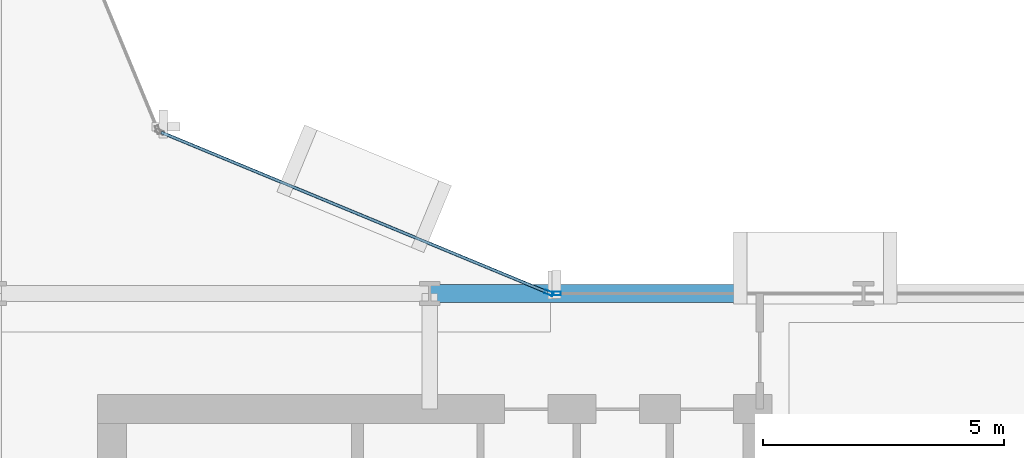
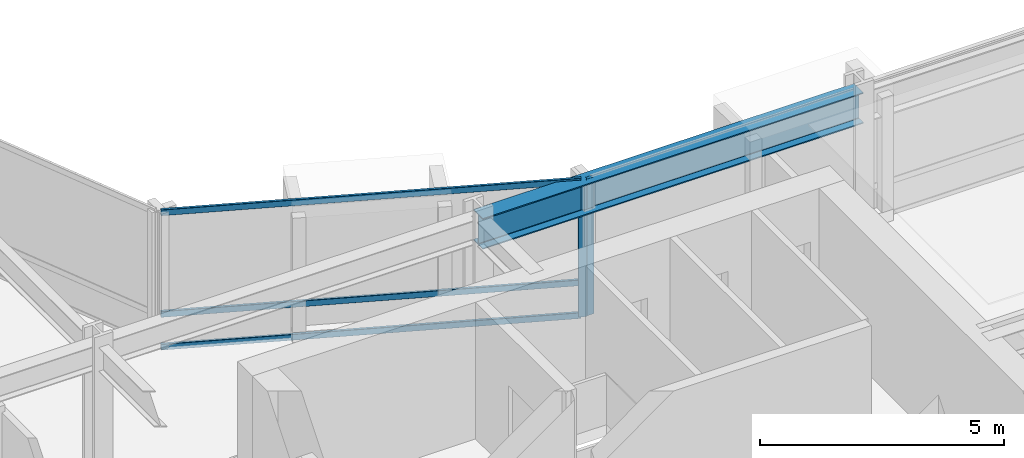
# One storey, part 15 of 34: 5 members, 1 beam, 2 elements without a shape of their own.
"""IFC4 building model written with IfcOpenShell, lengths in metres."""

from ifc_helpers import new_model, si_unit, direction, frame, origin, origin_2d, place, context, subcontext, project, spatial, hollow_rectangle, i_section, extrude, material, layer, layer_set, material_profile, profile_set, type_object, element, aggregate, save


model = new_model("IFC4")

# Units and contexts
model_context = context("Model", 3, precision=1e-05, world=origin(), true_north=direction((0.0, 1.0)))
body_context = subcontext(model_context, "Body", "Model", "MODEL_VIEW")
ifc_project = project(units=[si_unit("LENGTHUNIT", "METRE"), si_unit("AREAUNIT", "SQUARE_METRE"), si_unit("VOLUMEUNIT", "CUBIC_METRE"), si_unit("PLANEANGLEUNIT", "RADIAN"), si_unit("MASSUNIT", "GRAM", prefix="KILO")], contexts=[model_context])

# Site, building, storey
site_placement = place(None, origin())
site = spatial("IfcSite", under=ifc_project, at=site_placement, CompositionType="ELEMENT")
building_placement = place(site_placement, origin())
building = spatial("IfcBuilding", under=site, at=building_placement, Name="Solvaryn Broadcast Tower", CompositionType="ELEMENT")
storey_placement = place(building_placement, frame((0.0, 0.0, 65.60009765625)))
storey = spatial("IfcBuildingStorey", under=building, at=storey_placement, Name="L15", CompositionType="ELEMENT", Elevation=65.60009765625)

# Beam
ifc_material_1 = material(Name="Steel ASTM A992 Grade 50", Category="steel")
ifc_material_profile_1 = material_profile(ifc_material_1, i_section(OverallWidth=0.381103515625, OverallDepth=0.77294921875, WebThickness=0.0166015625, FlangeThickness=0.027099609375, FilletRadius=0.01806640625, at=origin_2d()))
ifc_profile_set_1 = profile_set([ifc_material_profile_1], Name="Steel ASTM A992 Grade 50")
beam_type = type_object("IfcBeamType", Name="BM-SP1-W30X173", PredefinedType="USERDEFINED", material=ifc_profile_set_1)
beam_placement = place(storey_placement, frame((36.0, 27.0, 3.033447265625), z_axis=(1.0, 0.0, 0.0), x_axis=(0.0, 1.0, 0.0)))
element("IfcBeam", 1, at=beam_placement, inside=storey, type_object=beam_type, Name="L15 Spandrel Beam X (36-45 @ Y=27)", ObjectType="SPANDREL", PredefinedType="USERDEFINED", context=body_context, shape_type="SweptSolid", body=[
    extrude(i_section(OverallWidth=0.381103515625, OverallDepth=0.77294921875, WebThickness=0.0166015625, FlangeThickness=0.027099609375, FilletRadius=0.01806640625, at=origin_2d()), origin(), (0.0, 0.0, 1.0), 9.0),
])

# Curtain wall, member
ifc_material_2 = material(Name="Aluminium and Terracotta Unitised Curtain Wall", Category="masonry")
ifc_layer = layer(ifc_material_2, 0.199951171875)
ifc_layer_set = layer_set([ifc_layer], Name="CW-SYS2-LOWMID")
curtain_wall_type = type_object("IfcCurtainWallType", Name="CW-SYS2-LOWMID", PredefinedType="NOTDEFINED", material=ifc_layer_set)
curtain_wall_1_placement = place(storey_placement, origin())
curtain_wall_1 = element("IfcCurtainWall", 2, at=curtain_wall_1_placement, inside=storey, type_object=curtain_wall_type, Name="L15 Curtain Wall CN1", PredefinedType="NOTDEFINED")
ifc_material_3 = material(Name="Anodised Aluminium 6063-T6", Category="aluminium")
ifc_material_profile_2 = material_profile(ifc_material_3, hollow_rectangle(XDim=0.074951171875, YDim=0.179931640625, WallThickness=0.00390625, InnerFilletRadius=0.00390625, OuterFilletRadius=0.008056640625, at=origin_2d()))
ifc_profile_set_2 = profile_set([ifc_material_profile_2], Name="Anodised Aluminium 6063-T6")
member_type_1 = type_object("IfcMemberType", Name="CW-MUL-180", PredefinedType="MULLION", material=ifc_profile_set_2)
member_1_placement = place(storey_placement, frame((38.47216796875, 27.011474609375, 0.0), z_axis=(0.0, 0.0, 1.0), x_axis=(-0.382646127145, -0.923894983957, 0.0)))
member_1 = element("IfcMember", 3, at=member_1_placement, type_object=member_type_1, Name="CWS2 mullion 1", PredefinedType="MULLION", context=body_context, shape_type="SweptSolid", body=[
    extrude(hollow_rectangle(XDim=0.074951171875, YDim=0.179931640625, WallThickness=0.00390625, InnerFilletRadius=0.00390625, OuterFilletRadius=0.008056640625, at=origin_2d()), origin(), (0.0, 0.0, 1.0), 3.419921875),
])

curtain_wall_2_placement = place(storey_placement, origin())
curtain_wall_2 = element("IfcCurtainWall", 4, at=curtain_wall_2_placement, inside=storey, type_object=curtain_wall_type, Name="L15 Curtain Wall IH", PredefinedType="NOTDEFINED")
member_2_placement = place(storey_placement, frame((38.6298828125, 27.0, 0.0), z_axis=(0.0, 0.0, 1.0), x_axis=(0.0, 1.0, 0.0)))
member_2 = element("IfcMember", 5, at=member_2_placement, type_object=member_type_1, Name="CWS2 mullion 1", PredefinedType="MULLION", context=body_context, shape_type="SweptSolid", body=[
    extrude(hollow_rectangle(XDim=0.074951171875, YDim=0.179931640625, WallThickness=0.00390625, InnerFilletRadius=0.00390625, OuterFilletRadius=0.008056640625, at=origin_2d()), origin(), (0.0, 0.0, 1.0), 3.419921875),
])
aggregate(curtain_wall_2, [member_2])

# Member
ifc_material_4 = material(Name="Anodised Aluminium 6063-T6", Category="aluminium")
ifc_material_profile_3 = material_profile(ifc_material_4, hollow_rectangle(XDim=0.06494140625, YDim=0.14990234375, WallThickness=0.00390625, InnerFilletRadius=0.00390625, OuterFilletRadius=0.008056640625, at=origin_2d()))
ifc_profile_set_3 = profile_set([ifc_material_profile_3], Name="Anodised Aluminium 6063-T6")
member_type_2 = type_object("IfcMemberType", Name="CW-TRN-150", PredefinedType="USERDEFINED", material=ifc_profile_set_3)
member_3_placement = place(storey_placement, frame((38.444580078125, 27.02294921875, 0.02978515625), z_axis=(-0.923899282177, 0.382635748975, 0.0), x_axis=(-0.382635748975, -0.923899282177, 0.0)))
member_3 = element("IfcMember", 6, at=member_3_placement, type_object=member_type_2, Name="CWS2 transom 1.1", ObjectType="TRANSOM", PredefinedType="USERDEFINED", context=body_context, shape_type="SweptSolid", body=[
    extrude(hollow_rectangle(XDim=0.06494140625, YDim=0.14990234375, WallThickness=0.00390625, InnerFilletRadius=0.00390625, OuterFilletRadius=0.008056640625, at=origin_2d()), origin(), (0.0, 0.0, 1.0), 8.681884765625),
])

member_4_placement = place(storey_placement, frame((38.444580078125, 27.02294921875, 0.849853515625), z_axis=(-0.923899282177, 0.382635748975, 0.0), x_axis=(-0.382635748975, -0.923899282177, 0.0)))
member_4 = element("IfcMember", 7, at=member_4_placement, type_object=member_type_2, Name="CWS2 transom 1.2", ObjectType="TRANSOM", PredefinedType="USERDEFINED", context=body_context, shape_type="SweptSolid", body=[
    extrude(hollow_rectangle(XDim=0.06494140625, YDim=0.14990234375, WallThickness=0.00390625, InnerFilletRadius=0.00390625, OuterFilletRadius=0.008056640625, at=origin_2d()), origin(), (0.0, 0.0, 1.0), 8.681884765625),
])

member_5_placement = place(storey_placement, frame((38.444580078125, 27.02294921875, 3.389892578125), z_axis=(-0.923899282177, 0.382635748975, 0.0), x_axis=(-0.382635748975, -0.923899282177, 0.0)))
member_5 = element("IfcMember", 8, at=member_5_placement, type_object=member_type_2, Name="CWS2 transom 1.3", ObjectType="TRANSOM", PredefinedType="USERDEFINED", context=body_context, shape_type="SweptSolid", body=[
    extrude(hollow_rectangle(XDim=0.06494140625, YDim=0.14990234375, WallThickness=0.00390625, InnerFilletRadius=0.00390625, OuterFilletRadius=0.008056640625, at=origin_2d()), origin(), (0.0, 0.0, 1.0), 8.681884765625),
])

aggregate(curtain_wall_1, [member_1, member_3, member_4, member_5])

save(model, "model.ifc")
